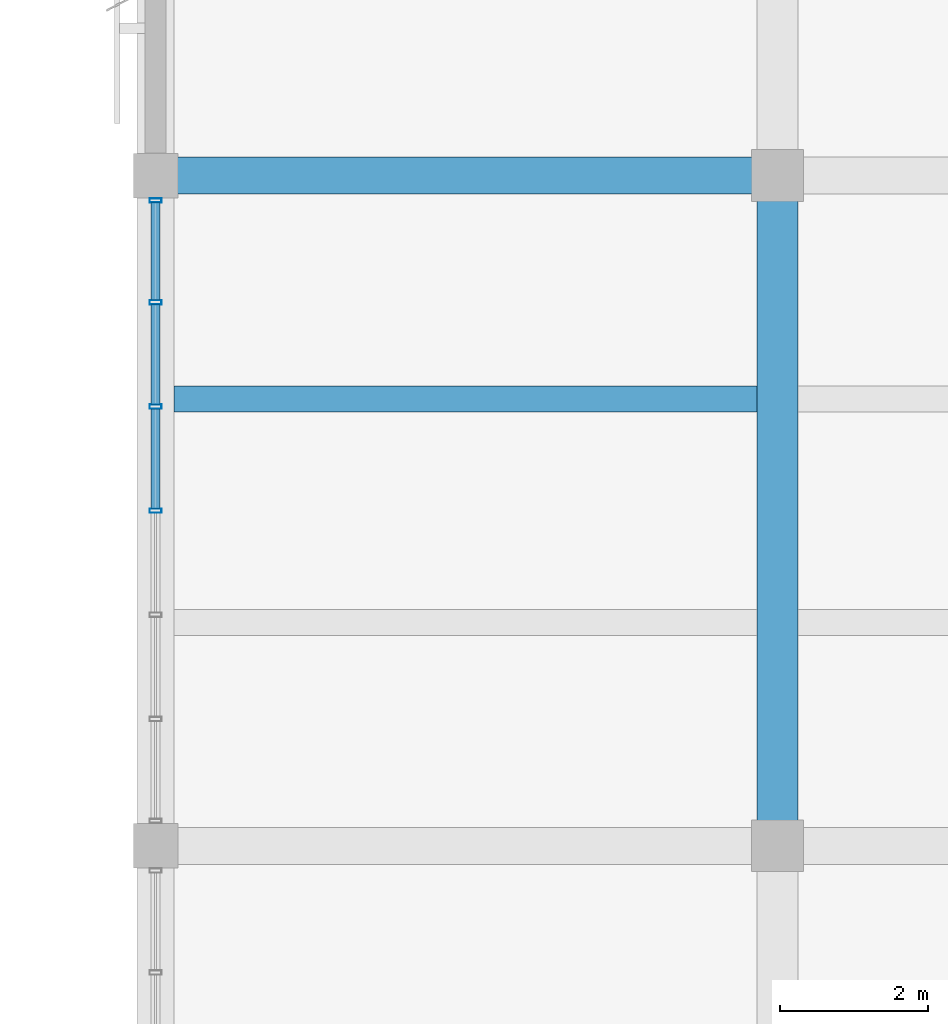
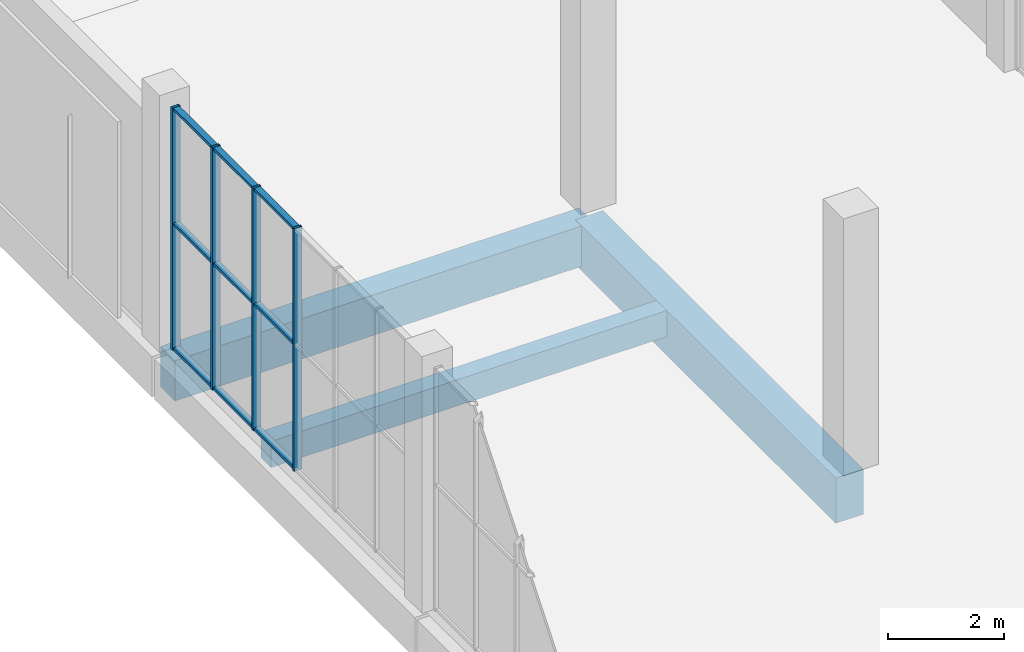
# One storey, part 16 of 132: 13 members, 3 beams, 1 element without a shape of its own.
"""IFC4 building model written with IfcOpenShell, lengths in metres."""

from ifc_helpers import new_model, si_unit, direction, frame, origin, origin_2d, place, context, subcontext, project, spatial, rectangle, hollow_rectangle, extrude, material, material_profile, profile_set, type_object, element, aggregate, save


model = new_model("IFC4")

# Units and contexts
model_context = context("Model", 3, precision=1e-05, world=origin(), true_north=direction((0.0, 1.0)))
body_context = subcontext(model_context, "Body", "Model", "MODEL_VIEW")
ifc_project = project(units=[si_unit("LENGTHUNIT", "METRE"), si_unit("AREAUNIT", "SQUARE_METRE"), si_unit("VOLUMEUNIT", "CUBIC_METRE"), si_unit("PLANEANGLEUNIT", "RADIAN"), si_unit("MASSUNIT", "GRAM", prefix="KILO")], contexts=[model_context])

# Site, building, storey
site_placement = place(None, origin())
site = spatial("IfcSite", under=ifc_project, at=site_placement, CompositionType="ELEMENT")
building_placement = place(site_placement, origin())
building = spatial("IfcBuilding", under=site, at=building_placement, Name="Khurvash Pelagic Aquarium", CompositionType="ELEMENT")
storey_placement = place(building_placement, frame((0.0, 0.0, 5.39990234375)))
storey = spatial("IfcBuildingStorey", under=building, at=storey_placement, Name="L01", CompositionType="ELEMENT", Elevation=5.39990234375)

# Beams
ifc_material_1 = material(Name="Concrete C40/50", Category="concrete")
ifc_material_profile_1 = material_profile(ifc_material_1, rectangle(XDim=0.550048828125, YDim=0.949951171875, at=origin_2d()), Name="RC550X950")
ifc_profile_set_1 = profile_set([ifc_material_profile_1], Name="Concrete C40/50")
beam_type_1 = type_object("IfcBeamType", Name="BM-02", PredefinedType="BEAM", material=ifc_profile_set_1)
beam_1_placement = place(storey_placement, frame((25.199951171875, 38.840087890625, -0.784912109375), z_axis=(0.0, 1.0, 0.0), x_axis=(-1.0, 0.0, 0.0)))
element("IfcBeam", 1, at=beam_1_placement, inside=storey, type_object=beam_type_1, Name="L01 Primary Girder BM-02 00363", PredefinedType="BEAM", context=body_context, shape_type="SweptSolid", body=[
    extrude(rectangle(XDim=0.550048828125, YDim=0.949951171875, at=origin_2d()), origin(), (0.0, 0.0, 1.0), 8.969970703125),
])
ifc_material_profile_2 = material_profile(ifc_material_1, rectangle(XDim=0.5, YDim=0.85009765625, at=origin_2d()), Name="RC500X850")
ifc_profile_set_2 = profile_set([ifc_material_profile_2], Name="Concrete C40/50")
beam_type_2 = type_object("IfcBeamType", Name="BM-03", PredefinedType="BEAM", material=ifc_profile_set_2)
beam_2_placement = place(storey_placement, frame((16.840087890625, 47.85009765625, -0.744873046875), z_axis=(1.0, 0.0, 0.0), x_axis=(0.0, 1.0, 0.0)))
element("IfcBeam", 2, at=beam_2_placement, inside=storey, type_object=beam_type_2, Name="L01 Primary Girder BM-03 00291", PredefinedType="BEAM", context=body_context, shape_type="SweptSolid", body=[
    extrude(rectangle(XDim=0.5, YDim=0.85009765625, at=origin_2d()), origin(), (0.0, 0.0, 1.0), 8.31982421875),
])

# Curtain wall, members
ifc_material_2 = material(Name="Anodised aluminium and low-E laminated glass", Category="aluminium")
curtain_wall_type = type_object("IfcCurtainWallType", Name="CW-06", PredefinedType="USERDEFINED", material=ifc_material_2)
curtain_wall_placement = place(storey_placement, origin())
curtain_wall = element("IfcCurtainWall", 3, at=curtain_wall_placement, inside=storey, type_object=curtain_wall_type, Name="L01 Facade Unitised Curtain Wall CW-06 0128", ObjectType="UNITISED CURTAIN WALL", PredefinedType="USERDEFINED")
ifc_material_3 = material(Name="Extruded aluminium AW-6063-T6", Category="aluminium")
ifc_material_profile_3 = material_profile(ifc_material_3, hollow_rectangle(XDim=0.06005859375, YDim=0.159912109375, WallThickness=0.00390625, at=origin_2d()), Name="CWM60X160X4")
ifc_profile_set_3 = profile_set([ifc_material_profile_3], Name="Extruded aluminium AW-6063-T6")
member_type_1 = type_object("IfcMemberType", Name="CM-02", PredefinedType="MULLION", material=ifc_profile_set_3)
member_1_placement = place(storey_placement, frame((16.800048828125, 47.514892578125, 0.0), z_axis=(0.0, 0.0, 1.0), x_axis=(0.0, -1.0, 0.0)))
member_1 = element("IfcMember", 4, at=member_1_placement, type_object=member_type_1, Name="CW-06 mullion 1", PredefinedType="MULLION", context=body_context, shape_type="SweptSolid", body=[
    extrude(hollow_rectangle(XDim=0.06005859375, YDim=0.159912109375, WallThickness=0.00390625, at=origin_2d()), origin(), (0.0, 0.0, 1.0), 5.10009765625),
])
member_2_placement = place(storey_placement, frame((16.800048828125, 46.138427734375, 0.0), z_axis=(0.0, 0.0, 1.0), x_axis=(0.0, -1.0, 0.0)))
member_2 = element("IfcMember", 5, at=member_2_placement, type_object=member_type_1, Name="CW-06 mullion 2", PredefinedType="MULLION", context=body_context, shape_type="SweptSolid", body=[
    extrude(hollow_rectangle(XDim=0.06005859375, YDim=0.159912109375, WallThickness=0.00390625, at=origin_2d()), origin(), (0.0, 0.0, 1.0), 5.10009765625),
])
member_3_placement = place(storey_placement, frame((16.800048828125, 44.731689453125, 0.0), z_axis=(0.0, 0.0, 1.0), x_axis=(0.0, -1.0, 0.0)))
member_3 = element("IfcMember", 6, at=member_3_placement, type_object=member_type_1, Name="CW-06 mullion 3", PredefinedType="MULLION", context=body_context, shape_type="SweptSolid", body=[
    extrude(hollow_rectangle(XDim=0.06005859375, YDim=0.159912109375, WallThickness=0.00390625, at=origin_2d()), origin(), (0.0, 0.0, 1.0), 5.10009765625),
])
member_4_placement = place(storey_placement, frame((16.800048828125, 43.324951171875, 0.0), z_axis=(0.0, 0.0, 1.0), x_axis=(0.0, -1.0, 0.0)))
member_4 = element("IfcMember", 7, at=member_4_placement, type_object=member_type_1, Name="CW-06 mullion 4", PredefinedType="MULLION", context=body_context, shape_type="SweptSolid", body=[
    extrude(hollow_rectangle(XDim=0.06005859375, YDim=0.159912109375, WallThickness=0.00390625, at=origin_2d()), origin(), (0.0, 0.0, 1.0), 5.10009765625),
])
ifc_material_profile_4 = material_profile(ifc_material_3, hollow_rectangle(XDim=0.1201171875, YDim=0.06005859375, WallThickness=0.00390625, at=origin_2d()), Name="CWT120X60X4")
ifc_profile_set_4 = profile_set([ifc_material_profile_4], Name="Extruded aluminium AW-6063-T6")
member_type_2 = type_object("IfcMemberType", Name="CT-02", PredefinedType="USERDEFINED", material=ifc_profile_set_4)
member_5_placement = place(storey_placement, frame((16.800048828125, 47.485107421875, 0.030029296875), z_axis=(0.0, -1.0, 0.0), x_axis=(1.0, 0.0, 0.0)))
member_5 = element("IfcMember", 8, at=member_5_placement, type_object=member_type_2, Name="CW-06 transom 1.1", ObjectType="TRANSOM", PredefinedType="USERDEFINED", context=body_context, shape_type="SweptSolid", body=[
    extrude(hollow_rectangle(XDim=0.1201171875, YDim=0.06005859375, WallThickness=0.00390625, at=origin_2d()), origin(), (0.0, 0.0, 1.0), 1.31689453125),
])
member_6_placement = place(storey_placement, frame((16.800048828125, 47.485107421875, 2.652099609375), z_axis=(0.0, -1.0, 0.0), x_axis=(1.0, 0.0, 0.0)))
member_6 = element("IfcMember", 9, at=member_6_placement, type_object=member_type_2, Name="CW-06 transom 1.2", ObjectType="TRANSOM", PredefinedType="USERDEFINED", context=body_context, shape_type="SweptSolid", body=[
    extrude(hollow_rectangle(XDim=0.1201171875, YDim=0.06005859375, WallThickness=0.00390625, at=origin_2d()), origin(), (0.0, 0.0, 1.0), 1.31689453125),
])
member_7_placement = place(storey_placement, frame((16.800048828125, 47.485107421875, 5.070068359375), z_axis=(0.0, -1.0, 0.0), x_axis=(1.0, 0.0, 0.0)))
member_7 = element("IfcMember", 10, at=member_7_placement, type_object=member_type_2, Name="CW-06 transom 1.3", ObjectType="TRANSOM", PredefinedType="USERDEFINED", context=body_context, shape_type="SweptSolid", body=[
    extrude(hollow_rectangle(XDim=0.1201171875, YDim=0.06005859375, WallThickness=0.00390625, at=origin_2d()), origin(), (0.0, 0.0, 1.0), 1.31689453125),
])
member_8_placement = place(storey_placement, frame((16.800048828125, 46.1083984375, 0.030029296875), z_axis=(0.0, -1.0, 0.0), x_axis=(1.0, 0.0, 0.0)))
member_8 = element("IfcMember", 11, at=member_8_placement, type_object=member_type_2, Name="CW-06 transom 2.1", ObjectType="TRANSOM", PredefinedType="USERDEFINED", context=body_context, shape_type="SweptSolid", body=[
    extrude(hollow_rectangle(XDim=0.1201171875, YDim=0.06005859375, WallThickness=0.00390625, at=origin_2d()), origin(), (0.0, 0.0, 1.0), 1.3466796875),
])
member_9_placement = place(storey_placement, frame((16.800048828125, 46.1083984375, 2.652099609375), z_axis=(0.0, -1.0, 0.0), x_axis=(1.0, 0.0, 0.0)))
member_9 = element("IfcMember", 12, at=member_9_placement, type_object=member_type_2, Name="CW-06 transom 2.2", ObjectType="TRANSOM", PredefinedType="USERDEFINED", context=body_context, shape_type="SweptSolid", body=[
    extrude(hollow_rectangle(XDim=0.1201171875, YDim=0.06005859375, WallThickness=0.00390625, at=origin_2d()), origin(), (0.0, 0.0, 1.0), 1.3466796875),
])
member_10_placement = place(storey_placement, frame((16.800048828125, 46.1083984375, 5.070068359375), z_axis=(0.0, -1.0, 0.0), x_axis=(1.0, 0.0, 0.0)))
member_10 = element("IfcMember", 13, at=member_10_placement, type_object=member_type_2, Name="CW-06 transom 2.3", ObjectType="TRANSOM", PredefinedType="USERDEFINED", context=body_context, shape_type="SweptSolid", body=[
    extrude(hollow_rectangle(XDim=0.1201171875, YDim=0.06005859375, WallThickness=0.00390625, at=origin_2d()), origin(), (0.0, 0.0, 1.0), 1.3466796875),
])
member_11_placement = place(storey_placement, frame((16.800048828125, 44.70166015625, 0.030029296875), z_axis=(0.0, -1.0, 0.0), x_axis=(1.0, 0.0, 0.0)))
member_11 = element("IfcMember", 14, at=member_11_placement, type_object=member_type_2, Name="CW-06 transom 3.1", ObjectType="TRANSOM", PredefinedType="USERDEFINED", context=body_context, shape_type="SweptSolid", body=[
    extrude(hollow_rectangle(XDim=0.1201171875, YDim=0.06005859375, WallThickness=0.00390625, at=origin_2d()), origin(), (0.0, 0.0, 1.0), 1.3466796875),
])
member_12_placement = place(storey_placement, frame((16.800048828125, 44.70166015625, 2.652099609375), z_axis=(0.0, -1.0, 0.0), x_axis=(1.0, 0.0, 0.0)))
member_12 = element("IfcMember", 15, at=member_12_placement, type_object=member_type_2, Name="CW-06 transom 3.2", ObjectType="TRANSOM", PredefinedType="USERDEFINED", context=body_context, shape_type="SweptSolid", body=[
    extrude(hollow_rectangle(XDim=0.1201171875, YDim=0.06005859375, WallThickness=0.00390625, at=origin_2d()), origin(), (0.0, 0.0, 1.0), 1.3466796875),
])
member_13_placement = place(storey_placement, frame((16.800048828125, 44.70166015625, 5.070068359375), z_axis=(0.0, -1.0, 0.0), x_axis=(1.0, 0.0, 0.0)))
member_13 = element("IfcMember", 16, at=member_13_placement, type_object=member_type_2, Name="CW-06 transom 3.3", ObjectType="TRANSOM", PredefinedType="USERDEFINED", context=body_context, shape_type="SweptSolid", body=[
    extrude(hollow_rectangle(XDim=0.1201171875, YDim=0.06005859375, WallThickness=0.00390625, at=origin_2d()), origin(), (0.0, 0.0, 1.0), 1.3466796875),
])
aggregate(curtain_wall, [member_1, member_2, member_3, member_4, member_5, member_6, member_7, member_8, member_9, member_10, member_11, member_12, member_13])

# Beam
ifc_material_4 = material(Name="Concrete C35/45", Category="concrete")
ifc_material_profile_5 = material_profile(ifc_material_4, rectangle(XDim=0.35009765625, YDim=0.550048828125, at=origin_2d()), Name="RC350X550")
ifc_profile_set_5 = profile_set([ifc_material_profile_5], Name="Concrete C35/45")
beam_type_3 = type_object("IfcBeamType", Name="JS-01", PredefinedType="JOIST", material=ifc_profile_set_5)
beam_3_placement = place(storey_placement, frame((17.050048828125, 44.8330078125, -0.5849609375), z_axis=(1.0, 0.0, 0.0), x_axis=(0.0, 1.0, 0.0)))
element("IfcBeam", 17, at=beam_3_placement, inside=storey, type_object=beam_type_3, Name="L01 Floor Joist JS-01 00449", PredefinedType="JOIST", context=body_context, shape_type="SweptSolid", body=[
    extrude(rectangle(XDim=0.35009765625, YDim=0.550048828125, at=origin_2d()), origin(), (0.0, 0.0, 1.0), 7.875),
])

save(model, "model.ifc")
